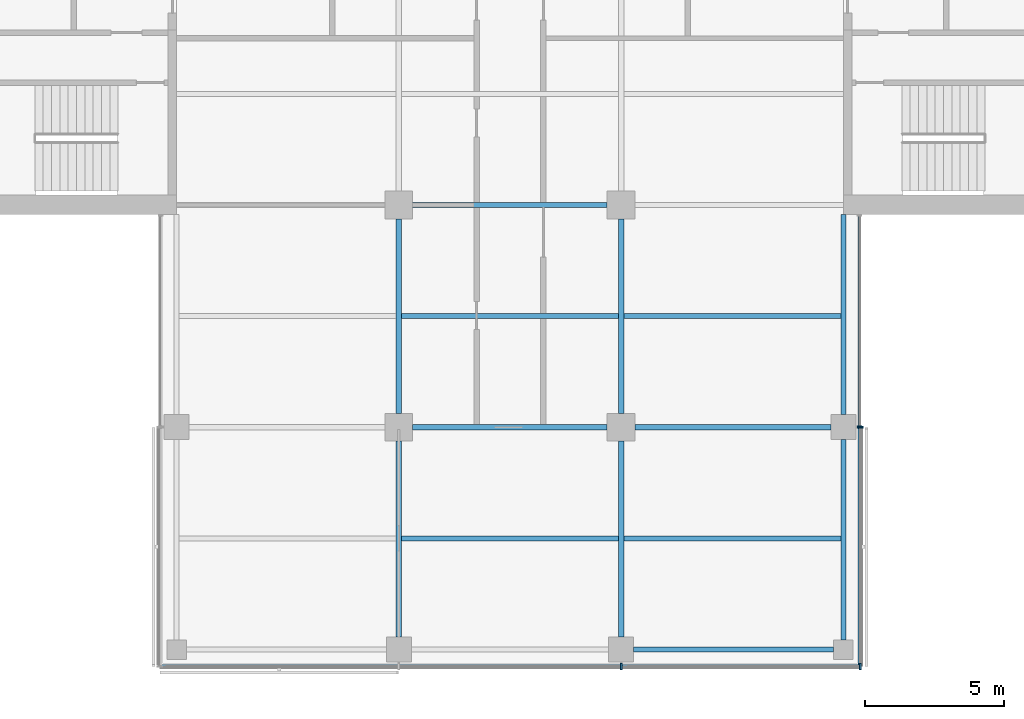
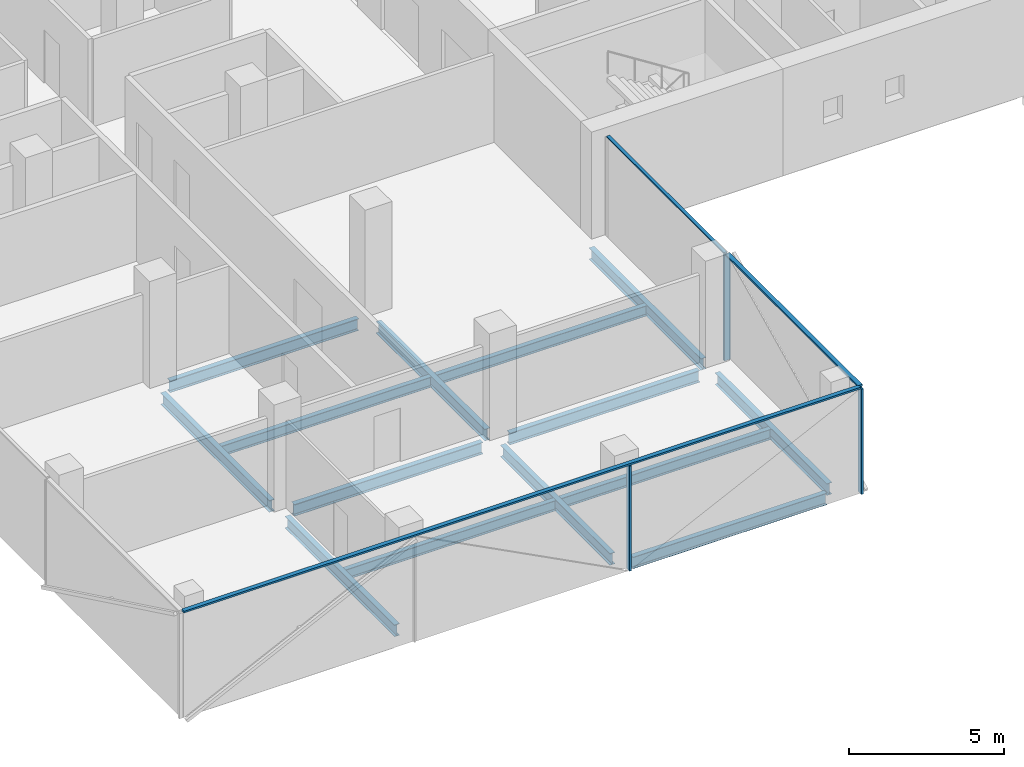
# One storey, part 5 of 22: 14 beams, 7 members, 3 elements without a shape of their own.
"""IFC4 building model written with IfcOpenShell, lengths in metres."""

from ifc_helpers import new_model, si_unit, direction, frame, origin, origin_2d, place, context, subcontext, project, spatial, rectangle, i_section, extrude, material, material_profile, profile_set, type_object, element, aggregate, save


model = new_model("IFC4")

# Units and contexts
model_context = context("Model", 3, precision=1e-05, world=origin(), true_north=direction((0.0, 1.0)))
body_context = subcontext(model_context, "Body", "Model", "MODEL_VIEW")
ifc_project = project(units=[si_unit("LENGTHUNIT", "METRE"), si_unit("AREAUNIT", "SQUARE_METRE"), si_unit("VOLUMEUNIT", "CUBIC_METRE"), si_unit("PLANEANGLEUNIT", "RADIAN"), si_unit("MASSUNIT", "GRAM", prefix="KILO")], contexts=[model_context])

# Site, building, storey
site_placement = place(None, origin())
site = spatial("IfcSite", under=ifc_project, at=site_placement, CompositionType="ELEMENT")
building_placement = place(site_placement, origin())
building = spatial("IfcBuilding", under=site, at=building_placement, Name="Crosswind Convention Tower", CompositionType="ELEMENT")
storey_placement = place(building_placement, frame((0.0, 0.0, 154.699951171875)))
storey = spatial("IfcBuildingStorey", under=building, at=storey_placement, Name="L32", CompositionType="ELEMENT", Elevation=154.699951171875)

# Beams
ifc_material_1 = material(Name="Steel S355", Category="steel")
ifc_material_profile_1 = material_profile(ifc_material_1, i_section(OverallWidth=0.18994140625, OverallDepth=0.45361328125, WebThickness=0.008544921875, FlangeThickness=0.0126953125, FilletRadius=0.01025390625, at=origin_2d()), Name="UB 457x191x67")
ifc_profile_set_1 = profile_set([ifc_material_profile_1], Name="Steel S355")
beam_type_1 = type_object("IfcBeamType", Name="Edge beam UB 457x191x67", PredefinedType="SPANDREL", material=ifc_profile_set_1)
for number, where, z_axis, x_axis, name in (
    (1, (129.449951171875, 72.0, -0.52685546875), (1.0, 0.0, 0.0), (0.0, 1.0, 0.0), "B16 L32 edge beam 14"),
    (2, (137.0, 72.35009765625, -0.52685546875), (0.0, 1.0, 0.0), (-1.0, 0.0, 0.0), "B16 L32 edge beam 16"),
    (3, (137.0, 80.449951171875, -0.52685546875), (0.0, 1.0, 0.0), (-1.0, 0.0, 0.0), "B16 L32 edge beam 17"),
):
    element("IfcBeam", number, at=place(storey_placement, frame(where, z_axis=z_axis, x_axis=x_axis)), inside=storey, type_object=beam_type_1, Name=name, PredefinedType="SPANDREL", context=body_context, shape_type="SweptSolid", body=[
        extrude(i_section(OverallWidth=0.18994140625, OverallDepth=0.45361328125, WebThickness=0.008544921875, FlangeThickness=0.0126953125, FilletRadius=0.01025390625, at=origin_2d()), origin(), (0.0, 0.0, 1.0), 7.199951171875),
    ])
ifc_material_profile_2 = material_profile(ifc_material_1, i_section(OverallWidth=0.19140625, OverallDepth=0.460205078125, WebThickness=0.010009765625, FlangeThickness=0.01611328125, FilletRadius=0.01025390625, at=origin_2d()), Name="UB 457x191x82")
ifc_profile_set_2 = profile_set([ifc_material_profile_2], Name="Steel S355")
beam_type_2 = type_object("IfcBeamType", Name="Girder UB 457x191x82", PredefinedType="BEAM", material=ifc_profile_set_2)
beam_1_placement = place(storey_placement, frame((121.0, 72.449951171875, -0.530029296875), z_axis=(0.0, 1.0, 0.0), x_axis=(-1.0, 0.0, 0.0)))
element("IfcBeam", 4, at=beam_1_placement, inside=storey, type_object=beam_type_2, Name="B3 L32 girder 3", PredefinedType="BEAM", context=body_context, shape_type="SweptSolid", body=[
    extrude(i_section(OverallWidth=0.19140625, OverallDepth=0.460205078125, WebThickness=0.010009765625, FlangeThickness=0.01611328125, FilletRadius=0.01025390625, at=origin_2d()), origin(), (0.0, 0.0, 1.0), 7.050048828125),
])
for number, where, z_axis, x_axis, name in (
    (5, (121.0, 80.5, -0.530029296875), (0.0, 1.0, 0.0), (-1.0, 0.0, 0.0), "B3 L32 girder 4"),
    (6, (121.5, 80.0, -0.530029296875), (1.0, 0.0, 0.0), (0.0, 1.0, 0.0), "B3 L32 girder 10"),
    (7, (121.5, 88.0, -0.530029296875), (1.0, 0.0, 0.0), (0.0, 1.0, 0.0), "B3 L32 girder 11"),
):
    element("IfcBeam", number, at=place(storey_placement, frame(where, z_axis=z_axis, x_axis=x_axis)), inside=storey, type_object=beam_type_2, Name=name, PredefinedType="BEAM", context=body_context, shape_type="SweptSolid", body=[
        extrude(i_section(OverallWidth=0.19140625, OverallDepth=0.460205078125, WebThickness=0.010009765625, FlangeThickness=0.01611328125, FilletRadius=0.01025390625, at=origin_2d()), origin(), (0.0, 0.0, 1.0), 7.0),
    ])
beam_2_placement = place(storey_placement, frame((129.0, 72.449951171875, -0.530029296875), z_axis=(0.0, 1.0, 0.0), x_axis=(-1.0, 0.0, 0.0)))
element("IfcBeam", 8, at=beam_2_placement, inside=storey, type_object=beam_type_2, Name="B3 L32 girder 16", PredefinedType="BEAM", context=body_context, shape_type="SweptSolid", body=[
    extrude(i_section(OverallWidth=0.19140625, OverallDepth=0.460205078125, WebThickness=0.010009765625, FlangeThickness=0.01611328125, FilletRadius=0.01025390625, at=origin_2d()), origin(), (0.0, 0.0, 1.0), 7.050048828125),
])
beam_3_placement = place(storey_placement, frame((129.0, 80.5, -0.530029296875), z_axis=(0.0, 1.0, 0.0), x_axis=(-1.0, 0.0, 0.0)))
element("IfcBeam", 9, at=beam_3_placement, inside=storey, type_object=beam_type_2, Name="B3 L32 girder 17", PredefinedType="BEAM", context=body_context, shape_type="SweptSolid", body=[
    extrude(i_section(OverallWidth=0.19140625, OverallDepth=0.460205078125, WebThickness=0.010009765625, FlangeThickness=0.01611328125, FilletRadius=0.01025390625, at=origin_2d()), origin(), (0.0, 0.0, 1.0), 7.0),
])
beam_4_placement = place(storey_placement, frame((129.5, 80.0, -0.530029296875), z_axis=(1.0, 0.0, 0.0), x_axis=(0.0, 1.0, 0.0)))
element("IfcBeam", 10, at=beam_4_placement, inside=storey, type_object=beam_type_2, Name="B3 L32 girder 23", PredefinedType="BEAM", context=body_context, shape_type="SweptSolid", body=[
    extrude(i_section(OverallWidth=0.19140625, OverallDepth=0.460205078125, WebThickness=0.010009765625, FlangeThickness=0.01611328125, FilletRadius=0.01025390625, at=origin_2d()), origin(), (0.0, 0.0, 1.0), 7.050048828125),
])

# Curtain wall, member
ifc_material_2 = material(Name="Aluminium unitised curtain wall", Category="aluminium")
curtain_wall_type_1 = type_object("IfcCurtainWallType", Name="CORE END SLOT WALL 160", PredefinedType="USERDEFINED", material=ifc_material_2)
curtain_wall_1_placement = place(storey_placement, origin())
curtain_wall_1 = element("IfcCurtainWall", 11, at=curtain_wall_1_placement, inside=storey, type_object=curtain_wall_type_1, Name="CW6 L32 S-E.1-2 slot", ObjectType="UNITISED", PredefinedType="USERDEFINED")
ifc_material_3 = material(Name="Aluminium mullion", Category="aluminium")
ifc_material_profile_3 = material_profile(ifc_material_3, rectangle(XDim=0.159912109375, YDim=0.050048828125, at=origin_2d()), Name="AL 160X50")
ifc_profile_set_3 = profile_set([ifc_material_profile_3], Name="Aluminium mullion")
member_type_1 = type_object("IfcMemberType", Name="MULLION 50X160", PredefinedType="MULLION", material=ifc_profile_set_3)
member_1_placement = place(storey_placement, frame((137.580078125, 80.02490234375, -0.300048828125), z_axis=(0.0, 0.0, 1.0), x_axis=(1.0, 0.0, 0.0)))
member_1 = element("IfcMember", 12, at=member_1_placement, type_object=member_type_1, Name="CW6 mullion 1", PredefinedType="MULLION", context=body_context, shape_type="SweptSolid", body=[
    extrude(rectangle(XDim=0.159912109375, YDim=0.050048828125, at=origin_2d()), origin(), (0.0, 0.0, 1.0), 4.150146484375),
])

# Curtain wall, members
curtain_wall_type_2 = type_object("IfcCurtainWallType", Name="OFFICE UNITISED WALL 220", PredefinedType="USERDEFINED", material=ifc_material_2)
curtain_wall_2_placement = place(storey_placement, origin())
curtain_wall_2 = element("IfcCurtainWall", 13, at=curtain_wall_2_placement, inside=storey, type_object=curtain_wall_type_2, Name="CW3 L32 S-TIP 1", ObjectType="UNITISED", PredefinedType="USERDEFINED")
ifc_material_profile_4 = material_profile(ifc_material_3, rectangle(XDim=0.219970703125, YDim=0.070068359375, at=origin_2d()), Name="AL 220X70")
ifc_profile_set_4 = profile_set([ifc_material_profile_4], Name="Aluminium mullion")
member_type_2 = type_object("IfcMemberType", Name="MULLION 70X220", PredefinedType="MULLION", material=ifc_profile_set_4)
member_2_placement = place(storey_placement, frame((129.0, 71.389892578125, -0.300048828125), z_axis=(0.0, 0.0, 1.0), x_axis=(0.0, -1.0, 0.0)))
member_2 = element("IfcMember", 14, at=member_2_placement, type_object=member_type_2, Name="CW3 mullion 3", PredefinedType="MULLION", context=body_context, shape_type="SweptSolid", body=[
    extrude(rectangle(XDim=0.219970703125, YDim=0.070068359375, at=origin_2d()), origin(), (0.0, 0.0, 1.0), 4.130126953125),
])
member_3_placement = place(storey_placement, frame((137.610107421875, 71.389892578125, -0.300048828125), z_axis=(0.0, 0.0, 1.0), x_axis=(0.0, -1.0, 0.0)))
member_3 = element("IfcMember", 15, at=member_3_placement, type_object=member_type_2, Name="CW3 mullion 4", PredefinedType="MULLION", context=body_context, shape_type="SweptSolid", body=[
    extrude(rectangle(XDim=0.219970703125, YDim=0.070068359375, at=origin_2d()), origin(), (0.0, 0.0, 1.0), 4.130126953125),
])

# Curtain wall, member
curtain_wall_3_placement = place(storey_placement, origin())
curtain_wall_3 = element("IfcCurtainWall", 16, at=curtain_wall_3_placement, inside=storey, type_object=curtain_wall_type_2, Name="CW3 L32 S-E 1", ObjectType="UNITISED", PredefinedType="USERDEFINED")
member_4_placement = place(storey_placement, frame((137.610107421875, 80.0, -0.300048828125), z_axis=(0.0, 0.0, 1.0), x_axis=(1.0, 0.0, 0.0)))
member_4 = element("IfcMember", 17, at=member_4_placement, type_object=member_type_2, Name="CW3 mullion 2", PredefinedType="MULLION", context=body_context, shape_type="SweptSolid", body=[
    extrude(rectangle(XDim=0.219970703125, YDim=0.070068359375, at=origin_2d()), origin(), (0.0, 0.0, 1.0), 4.130126953125),
])

# Beams
ifc_material_profile_5 = material_profile(ifc_material_1, i_section(OverallWidth=0.177734375, OverallDepth=0.406494140625, WebThickness=0.0078125, FlangeThickness=0.0126953125, FilletRadius=0.01025390625, at=origin_2d()), Name="UB 406x178x60")
ifc_profile_set_5 = profile_set([ifc_material_profile_5], Name="Steel S355")
beam_type_3 = type_object("IfcBeamType", Name="Secondary beam UB 406x178x60", PredefinedType="JOIST", material=ifc_profile_set_5)
for number, where, z_axis, x_axis, name in (
    (18, (121.095703125, 76.0, -0.503173828125), (1.0, 0.0, 0.0), (0.0, 1.0, 0.0), "B10 L32 secondary beam 11"),
    (19, (121.095703125, 84.0, -0.503173828125), (1.0, 0.0, 0.0), (0.0, 1.0, 0.0), "B10 L32 secondary beam 12"),
):
    element("IfcBeam", number, at=place(storey_placement, frame(where, z_axis=z_axis, x_axis=x_axis)), inside=storey, type_object=beam_type_3, Name=name, PredefinedType="JOIST", context=body_context, shape_type="SweptSolid", body=[
        extrude(i_section(OverallWidth=0.177734375, OverallDepth=0.406494140625, WebThickness=0.0078125, FlangeThickness=0.0126953125, FilletRadius=0.01025390625, at=origin_2d()), origin(), (0.0, 0.0, 1.0), 7.80859375),
    ])
for number, where, z_axis, x_axis, name in (
    (20, (129.095703125, 76.0, -0.503173828125), (1.0, 0.0, 0.0), (0.0, 1.0, 0.0), "B10 L32 secondary beam 18"),
    (21, (129.095703125, 84.0, -0.503173828125), (1.0, 0.0, 0.0), (0.0, 1.0, 0.0), "B10 L32 secondary beam 19"),
):
    element("IfcBeam", number, at=place(storey_placement, frame(where, z_axis=z_axis, x_axis=x_axis)), inside=storey, type_object=beam_type_3, Name=name, PredefinedType="JOIST", context=body_context, shape_type="SweptSolid", body=[
        extrude(i_section(OverallWidth=0.177734375, OverallDepth=0.406494140625, WebThickness=0.0078125, FlangeThickness=0.0126953125, FilletRadius=0.01025390625, at=origin_2d()), origin(), (0.0, 0.0, 1.0), 7.809326171875),
    ])

# Member
ifc_material_4 = material(Name="Aluminium transom", Category="aluminium")
ifc_material_profile_6 = material_profile(ifc_material_4, rectangle(XDim=0.1201171875, YDim=0.050048828125, at=origin_2d()), Name="AL 120X50")
ifc_profile_set_6 = profile_set([ifc_material_profile_6], Name="Aluminium transom")
member_type_3 = type_object("IfcMemberType", Name="TRANSOM 50X120", PredefinedType="USERDEFINED", material=ifc_profile_set_6)
member_5_placement = place(storey_placement, frame((137.580078125, 80.050048828125, 3.875), z_axis=(0.0, 1.0, 0.0), x_axis=(-1.0, 0.0, 0.0)))
member_5 = element("IfcMember", 22, at=member_5_placement, type_object=member_type_3, Name="CW6 transom", ObjectType="TRANSOM", PredefinedType="USERDEFINED", context=body_context, shape_type="SweptSolid", body=[
    extrude(rectangle(XDim=0.1201171875, YDim=0.050048828125, at=origin_2d()), origin(), (0.0, 0.0, 1.0), 7.550048828125),
])

aggregate(curtain_wall_1, [member_1, member_5])

ifc_material_profile_7 = material_profile(ifc_material_4, rectangle(XDim=0.159912109375, YDim=0.070068359375, at=origin_2d()), Name="AL 160X70")
ifc_profile_set_7 = profile_set([ifc_material_profile_7], Name="Aluminium transom")
member_type_4 = type_object("IfcMemberType", Name="TRANSOM 70X160", PredefinedType="USERDEFINED", material=ifc_profile_set_7)
member_6_placement = place(storey_placement, frame((112.425048828125, 71.389892578125, 3.864990234375), z_axis=(1.0, 0.0, 0.0), x_axis=(0.0, 1.0, 0.0)))
member_6 = element("IfcMember", 23, at=member_6_placement, type_object=member_type_4, Name="CW3 transom", ObjectType="TRANSOM", PredefinedType="USERDEFINED", context=body_context, shape_type="SweptSolid", body=[
    extrude(rectangle(XDim=0.159912109375, YDim=0.070068359375, at=origin_2d()), origin(), (0.0, 0.0, 1.0), 25.14990234375),
])

aggregate(curtain_wall_2, [member_2, member_3, member_6])

member_7_placement = place(storey_placement, frame((137.610107421875, 71.425048828125, 3.864990234375), z_axis=(0.0, 1.0, 0.0), x_axis=(-1.0, 0.0, 0.0)))
member_7 = element("IfcMember", 24, at=member_7_placement, type_object=member_type_4, Name="CW3 transom", ObjectType="TRANSOM", PredefinedType="USERDEFINED", context=body_context, shape_type="SweptSolid", body=[
    extrude(rectangle(XDim=0.159912109375, YDim=0.070068359375, at=origin_2d()), origin(), (0.0, 0.0, 1.0), 8.5400390625),
])

aggregate(curtain_wall_3, [member_4, member_7])

save(model, "model.ifc")
